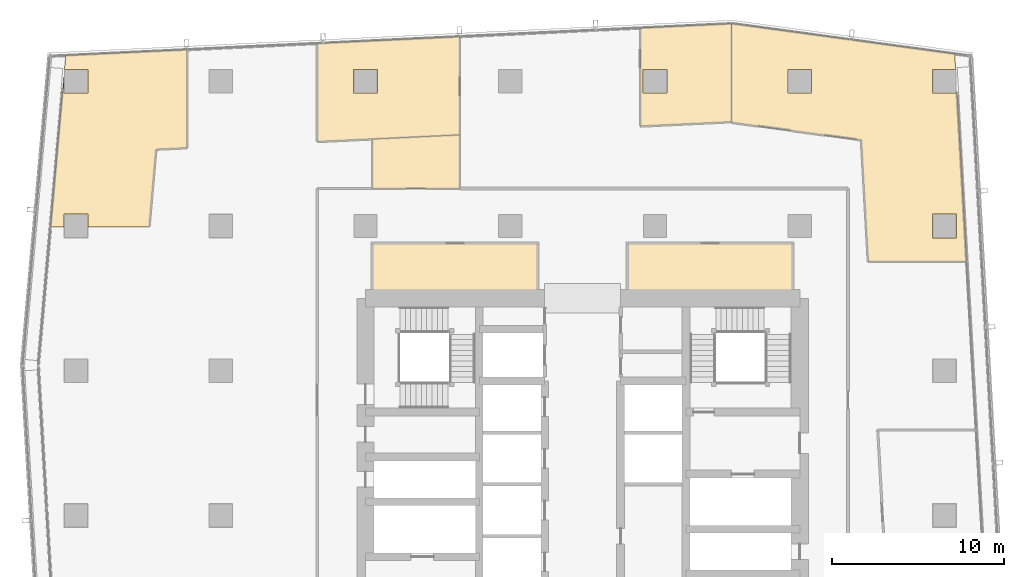
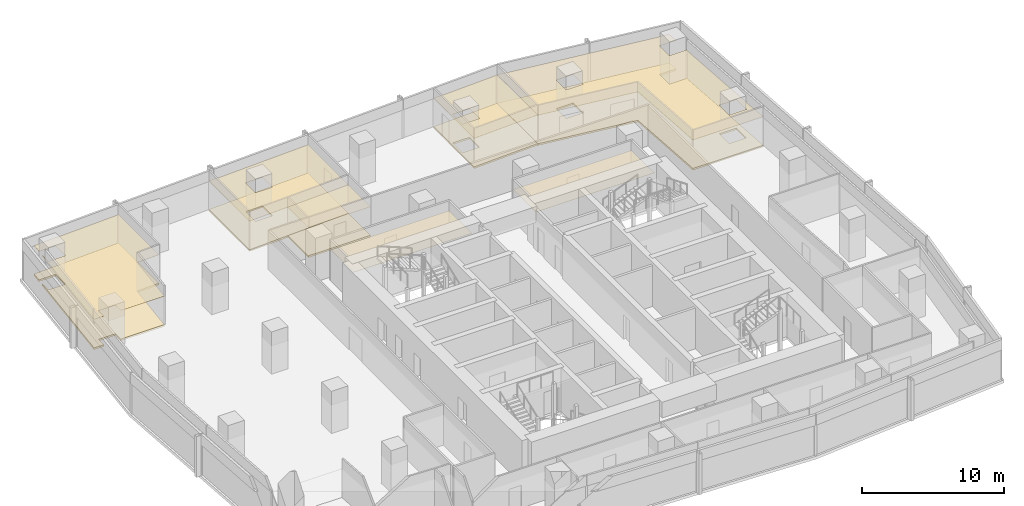
# One storey, part 40 of 40: 12 coverings.
"""IFC4 building model written with IfcOpenShell, lengths in metres."""

from ifc_helpers import new_model, si_unit, direction, frame, origin, place, context, subcontext, project, spatial, polyline, outline, extrude, material, layer, layer_set, type_object, element, save


model = new_model("IFC4")

# Units and contexts
model_context = context("Model", 3, precision=1e-05, world=origin(), true_north=direction((0.0, 1.0)))
body_context = subcontext(model_context, "Body", "Model", "MODEL_VIEW")
ifc_project = project(units=[si_unit("LENGTHUNIT", "METRE"), si_unit("AREAUNIT", "SQUARE_METRE"), si_unit("VOLUMEUNIT", "CUBIC_METRE"), si_unit("PLANEANGLEUNIT", "RADIAN"), si_unit("MASSUNIT", "GRAM", prefix="KILO")], contexts=[model_context])

# Site, building, storey
site_placement = place(None, origin())
site = spatial("IfcSite", under=ifc_project, at=site_placement, CompositionType="ELEMENT")
building_placement = place(site_placement, origin())
building = spatial("IfcBuilding", under=site, at=building_placement, Name="Rekha Terrace Tower", CompositionType="ELEMENT")
storey_placement = place(building_placement, frame((0.0, 0.0, 210.199951171875)))
storey = spatial("IfcBuildingStorey", under=building, at=storey_placement, Name="L53", CompositionType="ELEMENT", Elevation=210.199951171875)

# Coverings
ifc_material_1 = material(Name="Mineral fibre tile in exposed grid", Category="finish")
ifc_layer_1 = layer(ifc_material_1, 0.02001953125)
ifc_layer_set_1 = layer_set([ifc_layer_1], Name="Mineral fibre tile in exposed grid")
covering_type_1 = type_object("IfcCoveringType", Name="CL1 600x1200 office grid ceiling", PredefinedType="CEILING", material=ifc_layer_set_1)
covering_1_placement = place(storey_placement, frame((0.0, 0.0, 2.580078125)))
element("IfcCovering", 1, at=covering_1_placement, inside=storey, type_object=covering_type_1, Name="Ceiling L53-06", PredefinedType="CEILING", context=body_context, shape_type="SweptSolid", body=[
    extrude(outline(polyline([(58.110107421875, 59.489990234375), (59.443115234375, 59.489990234375), (59.39208984375, 60.39208984375), (46.445068359375, 62.154052734375), (46.445068359375, 56.40087890625), (53.967041015625, 55.3779296875), (54.366943359375, 48.33203125), (60.075927734375, 48.33203125), (59.51611328125, 58.2099609375), (59.489990234375, 58.208984375), (59.489990234375, 58.110107421875), (58.110107421875, 58.110107421875), (58.110107421875, 59.489990234375)]), holes=[polyline([(59.489990234375, 51.090087890625), (59.489990234375, 49.7099609375), (58.110107421875, 49.7099609375), (58.110107421875, 51.090087890625), (59.489990234375, 51.090087890625)]), polyline([(51.090087890625, 58.110107421875), (49.7099609375, 58.110107421875), (49.7099609375, 59.489990234375), (51.090087890625, 59.489990234375), (51.090087890625, 58.110107421875)])]), origin(), (0.0, 0.0, 1.0), 0.02001953125),
])
covering_2_placement = place(storey_placement, frame((0.0, 0.0, 2.580078125)))
element("IfcCovering", 2, at=covering_2_placement, inside=storey, type_object=covering_type_1, Name="Ceiling L53-07", PredefinedType="CEILING", context=body_context, shape_type="SweptSolid", body=[
    extrude(outline(polyline([(46.444091796875, 62.14697265625), (41.152099609375, 61.89404296875), (41.152099609375, 56.18798828125), (46.444091796875, 56.44091796875), (46.444091796875, 62.14697265625)]), holes=[polyline([(42.68994140625, 59.489990234375), (42.68994140625, 58.110107421875), (41.31005859375, 58.110107421875), (41.31005859375, 59.489990234375), (42.68994140625, 59.489990234375)])]), origin(), (0.0, 0.0, 1.0), 0.02001953125),
])
covering_3_placement = place(storey_placement, frame((0.0, 0.0, 2.580078125)))
element("IfcCovering", 3, at=covering_3_placement, inside=storey, type_object=covering_type_1, Name="Ceiling L53-08", PredefinedType="CEILING", context=body_context, shape_type="SweptSolid", body=[
    extrude(outline(polyline([(30.660888671875, 55.68603515625), (30.660888671875, 61.39306640625), (22.40087890625, 60.998046875), (22.40087890625, 55.291015625), (30.660888671875, 55.68603515625)]), holes=[polyline([(25.889892578125, 58.110107421875), (24.510009765625, 58.110107421875), (24.510009765625, 59.489990234375), (25.889892578125, 59.489990234375), (25.889892578125, 58.110107421875)])]), origin(), (0.0, 0.0, 1.0), 0.02001953125),
])
covering_4_placement = place(storey_placement, frame((0.0, 0.0, 2.580078125)))
element("IfcCovering", 4, at=covering_4_placement, inside=storey, type_object=covering_type_1, Name="Ceiling L53-09", PredefinedType="CEILING", context=body_context, shape_type="SweptSolid", body=[
    extrude(outline(polyline([(9.090087890625, 51.090087890625), (9.090087890625, 50.33203125), (12.64306640625, 50.33203125), (13.041015625, 54.843994140625), (14.842041015625, 54.929931640625), (14.842041015625, 60.636962890625), (7.801025390625, 60.300048828125), (7.72900390625, 59.489990234375), (9.090087890625, 59.489990234375), (9.090087890625, 58.110107421875), (7.7099609375, 58.110107421875), (7.7099609375, 59.0029296875), (7.68701171875, 59.00390625), (6.9208984375, 50.33203125), (7.7099609375, 50.33203125), (7.7099609375, 51.090087890625), (9.090087890625, 51.090087890625)])), origin(), (0.0, 0.0, 1.0), 0.02001953125),
])
covering_5_placement = place(storey_placement, frame((0.0, 0.0, 2.580078125)))
element("IfcCovering", 5, at=covering_5_placement, inside=storey, type_object=covering_type_1, Name="Ceiling L53-16", PredefinedType="CEILING", context=body_context, shape_type="SweptSolid", body=[
    extrude(outline(polyline([(25.60009765625, 55.444091796875), (25.60009765625, 52.574951171875), (30.660888671875, 52.574951171875), (30.660888671875, 55.68603515625), (25.60009765625, 55.444091796875)])), origin(), (0.0, 0.0, 1.0), 0.02001953125),
])
ifc_material_2 = material(Name="Fibre cement board", Category="finish")
ifc_layer_2 = layer(ifc_material_2, 0.014892578125)
ifc_layer_set_2 = layer_set([ifc_layer_2], Name="Fibre cement board")
covering_type_2 = type_object("IfcCoveringType", Name="CL2 moisture-resistant board ceiling", PredefinedType="CEILING", material=ifc_layer_set_2)
covering_6_placement = place(storey_placement, frame((0.0, 0.0, 2.5849609375)))
element("IfcCovering", 6, at=covering_6_placement, inside=storey, type_object=covering_type_2, Name="Ceiling L53-WCF", PredefinedType="CEILING", context=body_context, shape_type="SweptSolid", body=[
    extrude(outline(polyline([(50.0, 49.39990234375), (40.39990234375, 49.39990234375), (40.39990234375, 46.199951171875), (50.0, 46.199951171875), (50.0, 49.39990234375)])), origin(), (0.0, 0.0, 1.0), 0.01513671875),
])
covering_7_placement = place(storey_placement, frame((0.0, 0.0, 2.5849609375)))
element("IfcCovering", 7, at=covering_7_placement, inside=storey, type_object=covering_type_2, Name="Ceiling L53-WCF2", PredefinedType="CEILING", context=body_context, shape_type="SweptSolid", body=[
    extrude(outline(polyline([(35.199951171875, 49.39990234375), (25.60009765625, 49.39990234375), (25.60009765625, 46.199951171875), (35.199951171875, 46.199951171875), (35.199951171875, 49.39990234375)])), origin(), (0.0, 0.0, 1.0), 0.01513671875),
])
ifc_material_3 = material(Name="Calcium sulphate panels on steel pedestals", Category="steel")
ifc_layer_3 = layer(ifc_material_3, 0.14990234375)
ifc_layer_set_3 = layer_set([ifc_layer_3], Name="Calcium sulphate panels on steel pedestals")
covering_type_3 = type_object("IfcCoveringType", Name="RF1 150 raised access floor", PredefinedType="FLOORING", material=ifc_layer_set_3)
covering_8_placement = place(storey_placement, origin())
element("IfcCovering", 8, at=covering_8_placement, inside=storey, type_object=covering_type_3, Name="Raised floor L53-06", PredefinedType="FLOORING", context=body_context, shape_type="SweptSolid", body=[
    extrude(outline(polyline([(58.110107421875, 59.489990234375), (59.443115234375, 59.489990234375), (59.39208984375, 60.39208984375), (46.445068359375, 62.154052734375), (46.445068359375, 56.40087890625), (53.967041015625, 55.3779296875), (54.366943359375, 48.33203125), (60.075927734375, 48.33203125), (59.51611328125, 58.2099609375), (59.489990234375, 58.208984375), (59.489990234375, 58.110107421875), (58.110107421875, 58.110107421875), (58.110107421875, 59.489990234375)]), holes=[polyline([(59.489990234375, 51.090087890625), (59.489990234375, 49.7099609375), (58.110107421875, 49.7099609375), (58.110107421875, 51.090087890625), (59.489990234375, 51.090087890625)]), polyline([(51.090087890625, 58.110107421875), (49.7099609375, 58.110107421875), (49.7099609375, 59.489990234375), (51.090087890625, 59.489990234375), (51.090087890625, 58.110107421875)])]), origin(), (0.0, 0.0, 1.0), 0.150146484375),
])
covering_9_placement = place(storey_placement, origin())
element("IfcCovering", 9, at=covering_9_placement, inside=storey, type_object=covering_type_3, Name="Raised floor L53-07", PredefinedType="FLOORING", context=body_context, shape_type="SweptSolid", body=[
    extrude(outline(polyline([(46.444091796875, 62.14697265625), (41.152099609375, 61.89404296875), (41.152099609375, 56.18798828125), (46.444091796875, 56.44091796875), (46.444091796875, 62.14697265625)]), holes=[polyline([(42.68994140625, 59.489990234375), (42.68994140625, 58.110107421875), (41.31005859375, 58.110107421875), (41.31005859375, 59.489990234375), (42.68994140625, 59.489990234375)])]), origin(), (0.0, 0.0, 1.0), 0.150146484375),
])
covering_10_placement = place(storey_placement, origin())
element("IfcCovering", 10, at=covering_10_placement, inside=storey, type_object=covering_type_3, Name="Raised floor L53-08", PredefinedType="FLOORING", context=body_context, shape_type="SweptSolid", body=[
    extrude(outline(polyline([(30.660888671875, 55.68603515625), (30.660888671875, 61.39306640625), (22.40087890625, 60.998046875), (22.40087890625, 55.291015625), (30.660888671875, 55.68603515625)]), holes=[polyline([(25.889892578125, 58.110107421875), (24.510009765625, 58.110107421875), (24.510009765625, 59.489990234375), (25.889892578125, 59.489990234375), (25.889892578125, 58.110107421875)])]), origin(), (0.0, 0.0, 1.0), 0.150146484375),
])
covering_11_placement = place(storey_placement, origin())
element("IfcCovering", 11, at=covering_11_placement, inside=storey, type_object=covering_type_3, Name="Raised floor L53-09", PredefinedType="FLOORING", context=body_context, shape_type="SweptSolid", body=[
    extrude(outline(polyline([(9.090087890625, 51.090087890625), (9.090087890625, 50.33203125), (12.64306640625, 50.33203125), (13.041015625, 54.843994140625), (14.842041015625, 54.929931640625), (14.842041015625, 60.636962890625), (7.801025390625, 60.300048828125), (7.72900390625, 59.489990234375), (9.090087890625, 59.489990234375), (9.090087890625, 58.110107421875), (7.7099609375, 58.110107421875), (7.7099609375, 59.0029296875), (7.68701171875, 59.00390625), (6.9208984375, 50.33203125), (7.7099609375, 50.33203125), (7.7099609375, 51.090087890625), (9.090087890625, 51.090087890625)])), origin(), (0.0, 0.0, 1.0), 0.150146484375),
])
covering_12_placement = place(storey_placement, origin())
element("IfcCovering", 12, at=covering_12_placement, inside=storey, type_object=covering_type_3, Name="Raised floor L53-16", PredefinedType="FLOORING", context=body_context, shape_type="SweptSolid", body=[
    extrude(outline(polyline([(25.60009765625, 55.444091796875), (25.60009765625, 52.574951171875), (30.660888671875, 52.574951171875), (30.660888671875, 55.68603515625), (25.60009765625, 55.444091796875)])), origin(), (0.0, 0.0, 1.0), 0.150146484375),
])

save(model, "model.ifc")
